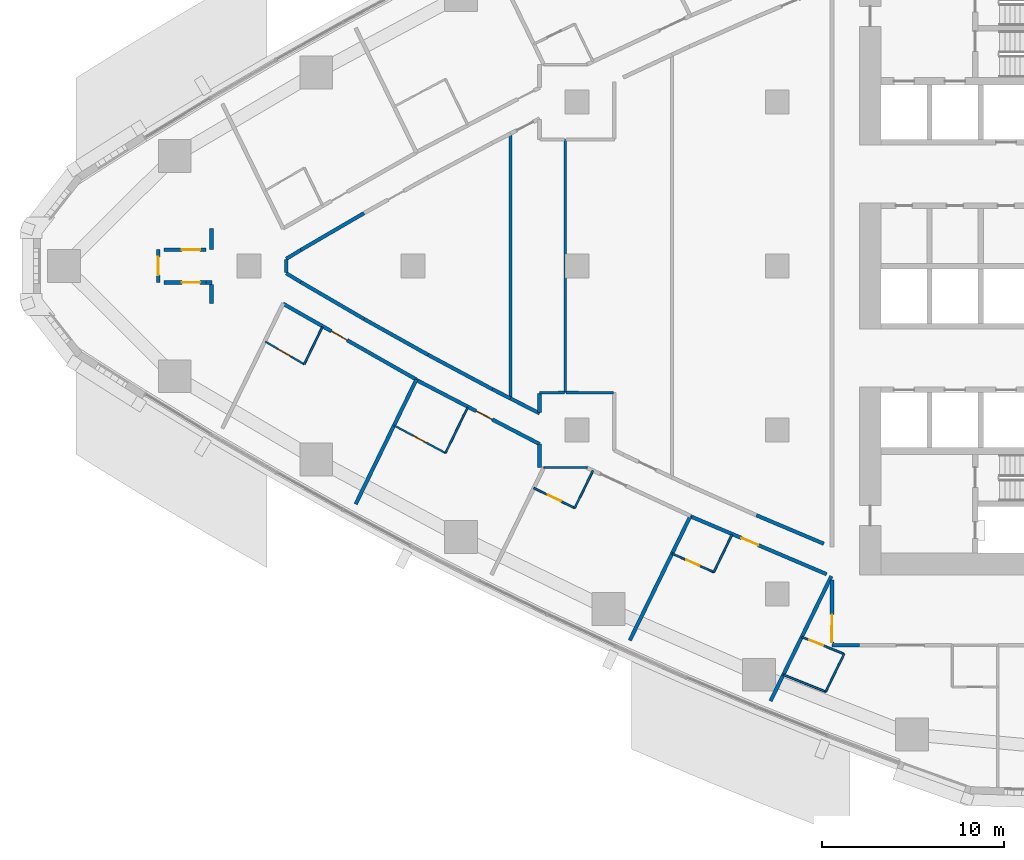
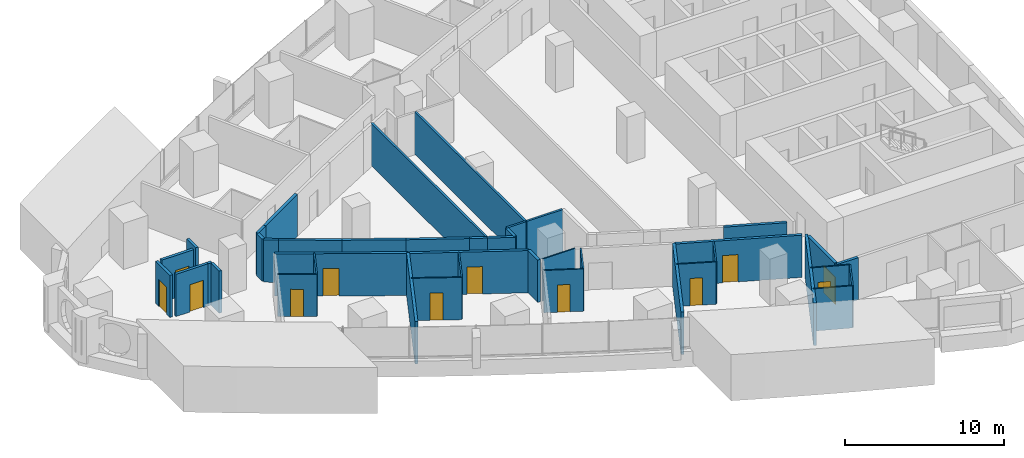
# One storey, part 9 of 19: 42 walls, 12 doors, 12 openings.
"""IFC4 building model written with IfcOpenShell, lengths in metres."""

from ifc_helpers import new_model, si_unit, direction, frame, frame_2d, origin, place, context, subcontext, project, spatial, rectangle, extrude, material, layer, layer_set, type_object, element, fill, save


model = new_model("IFC4")

# Units and contexts
model_context = context("Model", 3, precision=1e-05, world=origin(), true_north=direction((0.0, 1.0)))
body_context = subcontext(model_context, "Body", "Model", "MODEL_VIEW")
ifc_project = project(units=[si_unit("LENGTHUNIT", "METRE"), si_unit("AREAUNIT", "SQUARE_METRE"), si_unit("VOLUMEUNIT", "CUBIC_METRE"), si_unit("PLANEANGLEUNIT", "RADIAN"), si_unit("MASSUNIT", "GRAM", prefix="KILO")], contexts=[model_context])

# Site, building, storey
site_placement = place(None, origin())
site = spatial("IfcSite", under=ifc_project, at=site_placement, CompositionType="ELEMENT")
building_placement = place(site_placement, origin())
building = spatial("IfcBuilding", under=site, at=building_placement, Name="Ostrand Prow Hotel Tower", CompositionType="ELEMENT")
storey_placement = place(building_placement, frame((0.0, 0.0, 53.800048828125)))
storey = spatial("IfcBuildingStorey", under=building, at=storey_placement, Name="L11", CompositionType="ELEMENT", Elevation=53.800048828125)

# Wall
ifc_material_1 = material(Name="Plasterboard partition")
ifc_layer_1 = layer(ifc_material_1, 0.10009765625)
ifc_layer_set_1 = layer_set([ifc_layer_1], Name="Plasterboard partition")
wall_type_1 = type_object("IfcWallType", Name="Partition 100 bathroom wall", PredefinedType="PARTITIONING", material=ifc_layer_set_1)
wall_1_placement = place(storey_placement, frame((20.035400390625, -3.338134765625, 0.0), z_axis=(0.0, 0.0, 1.0), x_axis=(-0.438122322582, -0.898915363344, 0.0)))
element("IfcWall", 1, at=wall_1_placement, inside=storey, type_object=wall_type_1, Name="BATHROOM WALL", PredefinedType="PARTITIONING", context=body_context, shape_type="SweptSolid", body=[
    extrude(rectangle(XDim=2.282958984375, YDim=0.10009765625, at=frame_2d((1.1416015625, 0.0))), origin(), (0.0, 0.0, 1.0), 3.25),
])

# Wall, opening, door
wall_2_placement = place(storey_placement, frame((19.034912109375, -5.390380859375, 0.0), z_axis=(0.0, 0.0, 1.0), x_axis=(-0.863707305865, 0.503993739837, 0.0)))
wall_2 = element("IfcWall", 2, at=wall_2_placement, inside=storey, type_object=wall_type_1, Name="BATHROOM WALL", PredefinedType="PARTITIONING", context=body_context, shape_type="SweptSolid", body=[
    extrude(rectangle(XDim=2.473876953125, YDim=0.10009765625, at=frame_2d((1.23681640625, 0.0))), origin(), (0.0, 0.0, 1.0), 3.25),
])
opening_1_placement = place(wall_2_placement, frame((0.85009765625, 0.0, 0.0)))
opening_1 = element("IfcOpeningElement", 3, at=opening_1_placement, cuts=wall_2, Name="Opening D2", PredefinedType="OPENING", context=body_context, shape_type="SweptSolid", body=[
    extrude(rectangle(XDim=0.800048828125, YDim=2.10009765625, at=frame_2d((0.39990234375, 1.050048828125))), frame((0.0, 0.06005859375, 0.0), z_axis=(0.0, -1.0, 0.0), x_axis=(1.0, 0.0, 0.0)), (0.0, 0.0, 1.0), 0.1201171875),
])
ifc_material_2 = material(Name="Timber door leaf", Category="wood")
door_type_1 = type_object("IfcDoorType", Name="Bathroom door 800", OperationType="SINGLE_SWING_LEFT", PredefinedType="DOOR", material=ifc_material_2)
door_1_placement = place(opening_1_placement, origin())
door_1 = element("IfcDoor", 4, at=door_1_placement, inside=storey, type_object=door_type_1, Name="DOOR", OperationType="SINGLE_SWING_LEFT", OverallHeight=2.10009765625, OverallWidth=0.800048828125, PredefinedType="DOOR", context=body_context, shape_type="SweptSolid", body=[
    extrude(rectangle(XDim=0.800048828125, YDim=2.10009765625, at=frame_2d((0.39990234375, 1.050048828125))), frame((0.0, 0.02490234375, 0.0), z_axis=(0.0, -1.0, 0.0), x_axis=(1.0, 0.0, 0.0)), (0.0, 0.0, 1.0), 0.050048828125),
])
fill(opening_1, door_1)

# Wall
wall_3_placement = place(storey_placement, frame((28.00341796875, -7.7607421875, 0.0), z_axis=(0.0, 0.0, 1.0), x_axis=(-0.43822975423, -0.898862994292, 0.0)))
element("IfcWall", 5, at=wall_3_placement, inside=storey, type_object=wall_type_1, Name="BATHROOM WALL", PredefinedType="PARTITIONING", context=body_context, shape_type="SweptSolid", body=[
    extrude(rectangle(XDim=2.77880859375, YDim=0.10009765625, at=frame_2d((1.389404296875, 0.0))), origin(), (0.0, 0.0, 1.0), 3.25),
])

# Wall, opening, door
wall_4_placement = place(storey_placement, frame((26.785400390625, -10.258544921875, 0.0), z_axis=(0.0, 0.0, 1.0), x_axis=(-0.881653338438, 0.471897648672, 0.0)))
wall_4 = element("IfcWall", 6, at=wall_4_placement, inside=storey, type_object=wall_type_1, Name="BATHROOM WALL", PredefinedType="PARTITIONING", context=body_context, shape_type="SweptSolid", body=[
    extrude(rectangle(XDim=3.201904296875, YDim=0.10009765625, at=frame_2d((1.60107421875, 0.0))), origin(), (0.0, 0.0, 1.0), 3.25),
])
opening_2_placement = place(wall_4_placement, frame((1.199951171875, 0.0, 0.0)))
opening_2 = element("IfcOpeningElement", 7, at=opening_2_placement, cuts=wall_4, Name="Opening D2", PredefinedType="OPENING", context=body_context, shape_type="SweptSolid", body=[
    extrude(rectangle(XDim=0.800048828125, YDim=2.10009765625, at=frame_2d((0.39990234375, 1.050048828125))), frame((0.0, 0.06005859375, 0.0), z_axis=(0.0, -1.0, 0.0), x_axis=(1.0, 0.0, 0.0)), (0.0, 0.0, 1.0), 0.1201171875),
])
door_2_placement = place(opening_2_placement, origin())
door_2 = element("IfcDoor", 8, at=door_2_placement, inside=storey, type_object=door_type_1, Name="DOOR", OperationType="SINGLE_SWING_LEFT", OverallHeight=2.10009765625, OverallWidth=0.800048828125, PredefinedType="DOOR", context=body_context, shape_type="SweptSolid", body=[
    extrude(rectangle(XDim=0.800048828125, YDim=2.10009765625, at=frame_2d((0.39990234375, 1.050048828125))), frame((0.0, 0.02490234375, 0.0), z_axis=(0.0, -1.0, 0.0), x_axis=(1.0, 0.0, 0.0)), (0.0, 0.0, 1.0), 0.050048828125),
])
fill(opening_2, door_2)

# Wall
wall_5_placement = place(storey_placement, frame((34.876708984375, -11.233154296875, 0.0), z_axis=(0.0, 0.0, 1.0), x_axis=(-0.438227154656, -0.898864261678, 0.0)))
element("IfcWall", 9, at=wall_5_placement, inside=storey, type_object=wall_type_1, Name="BATHROOM WALL", PredefinedType="PARTITIONING", context=body_context, shape_type="SweptSolid", body=[
    extrude(rectangle(XDim=2.27685546875, YDim=0.10009765625, at=frame_2d((1.138427734375, 0.0))), origin(), (0.0, 0.0, 1.0), 3.25),
])

# Wall, opening, door
wall_6_placement = place(storey_placement, frame((33.87890625, -13.27978515625, 0.0), z_axis=(0.0, 0.0, 1.0), x_axis=(-0.89845285455, 0.439070003702, 0.0)))
wall_6 = element("IfcWall", 10, at=wall_6_placement, inside=storey, type_object=wall_type_1, Name="BATHROOM WALL", PredefinedType="PARTITIONING", context=body_context, shape_type="SweptSolid", body=[
    extrude(rectangle(XDim=2.5, YDim=0.10009765625, at=frame_2d((1.25, 0.0))), origin(), (0.0, 0.0, 1.0), 3.25),
])
opening_3_placement = place(wall_6_placement, frame((0.85009765625, 0.0, 0.0)))
opening_3 = element("IfcOpeningElement", 11, at=opening_3_placement, cuts=wall_6, Name="Opening D2", PredefinedType="OPENING", context=body_context, shape_type="SweptSolid", body=[
    extrude(rectangle(XDim=0.800048828125, YDim=2.10009765625, at=frame_2d((0.39990234375, 1.050048828125))), frame((0.0, 0.06005859375, 0.0), z_axis=(0.0, -1.0, 0.0), x_axis=(1.0, 0.0, 0.0)), (0.0, 0.0, 1.0), 0.1201171875),
])
door_3_placement = place(opening_3_placement, origin())
door_3 = element("IfcDoor", 12, at=door_3_placement, inside=storey, type_object=door_type_1, Name="DOOR", OperationType="SINGLE_SWING_LEFT", OverallHeight=2.10009765625, OverallWidth=0.800048828125, PredefinedType="DOOR", context=body_context, shape_type="SweptSolid", body=[
    extrude(rectangle(XDim=0.800048828125, YDim=2.10009765625, at=frame_2d((0.39990234375, 1.050048828125))), frame((0.0, 0.02490234375, 0.0), z_axis=(0.0, -1.0, 0.0), x_axis=(1.0, 0.0, 0.0)), (0.0, 0.0, 1.0), 0.050048828125),
])
fill(opening_3, door_3)

# Wall
wall_7_placement = place(storey_placement, frame((42.50830078125, -14.747802734375, 0.0), z_axis=(0.0, 0.0, 1.0), x_axis=(-0.4381470535, -0.898903309321, 0.0)))
element("IfcWall", 13, at=wall_7_placement, inside=storey, type_object=wall_type_1, Name="BATHROOM WALL", PredefinedType="PARTITIONING", context=body_context, shape_type="SweptSolid", body=[
    extrude(rectangle(XDim=2.2783203125, YDim=0.10009765625, at=frame_2d((1.13916015625, 0.0))), origin(), (0.0, 0.0, 1.0), 3.25),
])

# Wall, opening, door
wall_8_placement = place(storey_placement, frame((41.509765625, -16.7958984375, 0.0), z_axis=(0.0, 0.0, 1.0), x_axis=(-0.914000607553, 0.405712816401, 0.0)))
wall_8 = element("IfcWall", 14, at=wall_8_placement, inside=storey, type_object=wall_type_1, Name="BATHROOM WALL", PredefinedType="PARTITIONING", context=body_context, shape_type="SweptSolid", body=[
    extrude(rectangle(XDim=2.50146484375, YDim=0.10009765625, at=frame_2d((1.250732421875, 0.0))), origin(), (0.0, 0.0, 1.0), 3.25),
])
opening_4_placement = place(wall_8_placement, frame((0.85009765625, 0.0, 0.0)))
opening_4 = element("IfcOpeningElement", 15, at=opening_4_placement, cuts=wall_8, Name="Opening D2", PredefinedType="OPENING", context=body_context, shape_type="SweptSolid", body=[
    extrude(rectangle(XDim=0.800048828125, YDim=2.10009765625, at=frame_2d((0.39990234375, 1.050048828125))), frame((0.0, 0.06005859375, 0.0), z_axis=(0.0, -1.0, 0.0), x_axis=(1.0, 0.0, 0.0)), (0.0, 0.0, 1.0), 0.1201171875),
])
door_4_placement = place(opening_4_placement, origin())
door_4 = element("IfcDoor", 16, at=door_4_placement, inside=storey, type_object=door_type_1, Name="DOOR", OperationType="SINGLE_SWING_LEFT", OverallHeight=2.10009765625, OverallWidth=0.800048828125, PredefinedType="DOOR", context=body_context, shape_type="SweptSolid", body=[
    extrude(rectangle(XDim=0.800048828125, YDim=2.10009765625, at=frame_2d((0.39990234375, 1.050048828125))), frame((0.0, 0.02490234375, 0.0), z_axis=(0.0, -1.0, 0.0), x_axis=(1.0, 0.0, 0.0)), (0.0, 0.0, 1.0), 0.050048828125),
])
fill(opening_4, door_4)

# Wall
wall_9_placement = place(storey_placement, frame((47.65478515625, -23.360595703125, 0.0), z_axis=(0.0, 0.0, 1.0), x_axis=(-0.928288495333, 0.371860819975, 0.0)))
element("IfcWall", 17, at=wall_9_placement, inside=storey, type_object=wall_type_1, Name="BATHROOM WALL", PredefinedType="PARTITIONING", context=body_context, shape_type="SweptSolid", body=[
    extrude(rectangle(XDim=2.506591796875, YDim=0.10009765625, at=frame_2d((1.25341796875, 0.0))), origin(), (0.0, 0.0, 1.0), 3.25),
])

# Wall, opening, door
wall_10_placement = place(storey_placement, frame((46.33837890625, -20.35546875, 0.0), z_axis=(0.0, 0.0, 1.0), x_axis=(0.928288495333, -0.371860819975, 0.0)))
wall_10 = element("IfcWall", 18, at=wall_10_placement, inside=storey, type_object=wall_type_1, Name="BATHROOM WALL", PredefinedType="PARTITIONING", context=body_context, shape_type="SweptSolid", body=[
    extrude(rectangle(XDim=2.506591796875, YDim=0.10009765625, at=frame_2d((1.25341796875, 0.0))), origin(), (0.0, 0.0, 1.0), 3.25),
])
opening_5_placement = place(wall_10_placement, frame((0.449951171875, 0.0, 0.0)))
opening_5 = element("IfcOpeningElement", 19, at=opening_5_placement, cuts=wall_10, Name="Opening D2", PredefinedType="OPENING", context=body_context, shape_type="SweptSolid", body=[
    extrude(rectangle(XDim=0.800048828125, YDim=2.10009765625, at=frame_2d((0.39990234375, 1.050048828125))), frame((0.0, 0.06005859375, 0.0), z_axis=(0.0, -1.0, 0.0), x_axis=(1.0, 0.0, 0.0)), (0.0, 0.0, 1.0), 0.1201171875),
])
door_5_placement = place(opening_5_placement, origin())
door_5 = element("IfcDoor", 20, at=door_5_placement, inside=storey, type_object=door_type_1, Name="DOOR", OperationType="SINGLE_SWING_LEFT", OverallHeight=2.10009765625, OverallWidth=0.800048828125, PredefinedType="DOOR", context=body_context, shape_type="SweptSolid", body=[
    extrude(rectangle(XDim=0.800048828125, YDim=2.10009765625, at=frame_2d((0.39990234375, 1.050048828125))), frame((0.0, 0.02490234375, 0.0), z_axis=(0.0, -1.0, 0.0), x_axis=(1.0, 0.0, 0.0)), (0.0, 0.0, 1.0), 0.050048828125),
])
fill(opening_5, door_5)

# Walls
wall_11_placement = place(storey_placement, frame((48.665283203125, -21.28759765625, 0.0), z_axis=(0.0, 0.0, 1.0), x_axis=(-0.438171240168, -0.898891519756, 0.0)))
element("IfcWall", 21, at=wall_11_placement, inside=storey, type_object=wall_type_1, Name="BATHROOM WALL", PredefinedType="PARTITIONING", context=body_context, shape_type="SweptSolid", body=[
    extrude(rectangle(XDim=2.30615234375, YDim=0.10009765625, at=frame_2d((1.153076171875, 0.0))), origin(), (0.0, 0.0, 1.0), 3.25),
])
wall_12_placement = place(storey_placement, frame((32.182373046875, -11.054931640625, 0.0), z_axis=(0.0, 0.0, 1.0), x_axis=(1.0, 0.0, 0.0)))
element("IfcWall", 22, at=wall_12_placement, inside=storey, type_object=wall_type_1, Name="BATHROOM WALL", PredefinedType="PARTITIONING", context=body_context, shape_type="SweptSolid", body=[
    extrude(rectangle(XDim=2.370849609375, YDim=0.10009765625, at=frame_2d((1.185546875, 0.0))), origin(), (0.0, 0.0, 1.0), 3.25),
])
ifc_material_3 = material(Name="Plasterboard partition")
ifc_layer_2 = layer(ifc_material_3, 0.14990234375)
ifc_layer_set_2 = layer_set([ifc_layer_2], Name="Plasterboard partition")
wall_type_2 = type_object("IfcWallType", Name="Partition 150 room partition", PredefinedType="PARTITIONING", material=ifc_layer_set_2)
wall_13_placement = place(storey_placement, frame((30.353271484375, -7.267578125, 0.0), z_axis=(0.0, 0.0, 1.0), x_axis=(0.0, 1.0, 0.0)))
element("IfcWall", 23, at=wall_13_placement, inside=storey, type_object=wall_type_2, Name="ROOM PARTITION", PredefinedType="PARTITIONING", context=body_context, shape_type="SweptSolid", body=[
    extrude(rectangle(XDim=14.53515625, YDim=0.14990234375, at=frame_2d((7.267578125, 0.0))), origin(), (0.0, 0.0, 1.0), 3.25),
])
wall_14_placement = place(storey_placement, frame((33.353271484375, -6.949951171875, 0.0), z_axis=(0.0, 0.0, 1.0), x_axis=(0.0, 1.0, 0.0)))
element("IfcWall", 24, at=wall_14_placement, inside=storey, type_object=wall_type_2, Name="ROOM PARTITION", PredefinedType="PARTITIONING", context=body_context, shape_type="SweptSolid", body=[
    extrude(rectangle(XDim=13.89990234375, YDim=0.14990234375, at=frame_2d((6.949951171875, 0.0))), origin(), (0.0, 0.0, 1.0), 3.25),
])
wall_15_placement = place(storey_placement, frame((33.313232421875, -6.945068359375, 0.0), z_axis=(0.0, 0.0, 1.0), x_axis=(-0.999999744625, -0.00071466839, 0.0)))
element("IfcWall", 25, at=wall_15_placement, inside=storey, type_object=wall_type_2, Name="ROOM PARTITION", PredefinedType="PARTITIONING", context=body_context, shape_type="SweptSolid", body=[
    extrude(rectangle(XDim=1.366455078125, YDim=0.14990234375, at=frame_2d((0.68310546875, 0.0))), origin(), (0.0, 0.0, 1.0), 3.25),
])
wall_16_placement = place(storey_placement, frame((36.01318359375, -6.946044921875, 0.0), z_axis=(0.0, 0.0, 1.0), x_axis=(-0.999999930528, 0.000372751815, 0.0)))
element("IfcWall", 26, at=wall_16_placement, inside=storey, type_object=wall_type_2, Name="ROOM PARTITION", PredefinedType="PARTITIONING", context=body_context, shape_type="SweptSolid", body=[
    extrude(rectangle(XDim=2.619873046875, YDim=0.14990234375, at=frame_2d((1.31005859375, 0.0))), origin(), (0.0, 0.0, 1.0), 3.25),
])

# Wall, opening, door
ifc_material_4 = material(Name="Plasterboard partition")
ifc_layer_3 = layer(ifc_material_4, 0.199951171875)
ifc_layer_set_3 = layer_set([ifc_layer_3], Name="Plasterboard partition")
wall_type_3 = type_object("IfcWallType", Name="Partition 200 corridor wall", PredefinedType="PARTITIONING", material=ifc_layer_set_3)
wall_17_placement = place(storey_placement, frame((17.87353515625, -2.068115234375, 0.0), z_axis=(0.0, 0.0, 1.0), x_axis=(0.869280098963, -0.494319845391, 0.0)))
wall_17 = element("IfcWall", 27, at=wall_17_placement, inside=storey, type_object=wall_type_3, Name="CORRIDOR WALL", PredefinedType="PARTITIONING", context=body_context, shape_type="SweptSolid", body=[
    extrude(rectangle(XDim=8.4169921875, YDim=0.199951171875, at=frame_2d((4.20849609375, 0.0))), origin(), (0.0, 0.0, 1.0), 3.25),
])
opening_6_placement = place(wall_17_placement, frame((3.050048828125, 0.0, 0.0)))
opening_6 = element("IfcOpeningElement", 28, at=opening_6_placement, cuts=wall_17, Name="Opening D1R", PredefinedType="OPENING", context=body_context, shape_type="SweptSolid", body=[
    extrude(rectangle(XDim=1.0, YDim=2.10009765625, at=frame_2d((0.5, 1.050048828125))), frame((0.0, 0.10986328125, 0.0), z_axis=(0.0, -1.0, 0.0), x_axis=(1.0, 0.0, 0.0)), (0.0, 0.0, 1.0), 0.219970703125),
])
ifc_material_5 = material(Name="Timber door leaf", Category="wood")
door_type_2 = type_object("IfcDoorType", Name="Guest room door 1000 right", OperationType="SINGLE_SWING_RIGHT", PredefinedType="DOOR", material=ifc_material_5)
door_6_placement = place(opening_6_placement, origin())
door_6 = element("IfcDoor", 29, at=door_6_placement, inside=storey, type_object=door_type_2, Name="DOOR", OperationType="SINGLE_SWING_RIGHT", OverallHeight=2.10009765625, OverallWidth=1.0, PredefinedType="DOOR", context=body_context, shape_type="SweptSolid", body=[
    extrude(rectangle(XDim=1.0, YDim=2.10009765625, at=frame_2d((0.5, 1.050048828125))), frame((0.0, 0.02490234375, 0.0), z_axis=(0.0, -1.0, 0.0), x_axis=(1.0, 0.0, 0.0)), (0.0, 0.0, 1.0), 0.050048828125),
])
fill(opening_6, door_6)

wall_18_placement = place(storey_placement, frame((25.181396484375, -6.246826171875, 0.0), z_axis=(0.0, 0.0, 1.0), x_axis=(0.887026569793, -0.461718382221, 0.0)))
wall_18 = element("IfcWall", 30, at=wall_18_placement, inside=storey, type_object=wall_type_3, Name="CORRIDOR WALL", PredefinedType="PARTITIONING", context=body_context, shape_type="SweptSolid", body=[
    extrude(rectangle(XDim=7.630615234375, YDim=0.199951171875, at=frame_2d((3.8154296875, 0.0))), origin(), (0.0, 0.0, 1.0), 3.25),
])
opening_7_placement = place(wall_18_placement, frame((3.699951171875, 0.0, 0.0)))
opening_7 = element("IfcOpeningElement", 31, at=opening_7_placement, cuts=wall_18, Name="Opening D1R", PredefinedType="OPENING", context=body_context, shape_type="SweptSolid", body=[
    extrude(rectangle(XDim=1.0, YDim=2.10009765625, at=frame_2d((0.5, 1.050048828125))), frame((0.0, 0.10986328125, 0.0), z_axis=(0.0, -1.0, 0.0), x_axis=(1.0, 0.0, 0.0)), (0.0, 0.0, 1.0), 0.219970703125),
])
door_7_placement = place(opening_7_placement, origin())
door_7 = element("IfcDoor", 32, at=door_7_placement, inside=storey, type_object=door_type_2, Name="DOOR", OperationType="SINGLE_SWING_RIGHT", OverallHeight=2.10009765625, OverallWidth=1.0, PredefinedType="DOOR", context=body_context, shape_type="SweptSolid", body=[
    extrude(rectangle(XDim=1.0, YDim=2.10009765625, at=frame_2d((0.5, 1.050048828125))), frame((0.0, 0.02490234375, 0.0), z_axis=(0.0, -1.0, 0.0), x_axis=(1.0, 0.0, 0.0)), (0.0, 0.0, 1.0), 0.050048828125),
])
fill(opening_7, door_7)

# Walls
wall_19_placement = place(storey_placement, frame((30.353271484375, -7.267578125, 0.0), z_axis=(0.0, 0.0, 1.0), x_axis=(-0.890241988655, 0.455487872106, 0.0)))
element("IfcWall", 33, at=wall_19_placement, inside=storey, type_object=wall_type_3, Name="CORRIDOR WALL", PredefinedType="PARTITIONING", context=body_context, shape_type="SweptSolid", body=[
    extrude(rectangle(XDim=1.11865234375, YDim=0.199951171875, at=frame_2d((0.559326171875, 0.0))), origin(), (0.0, 0.0, 1.0), 3.25),
])
wall_20_placement = place(storey_placement, frame((29.357421875, -6.758056640625, 0.0), z_axis=(0.0, 0.0, 1.0), x_axis=(-0.881655245922, 0.471894084874, 0.0)))
element("IfcWall", 34, at=wall_20_placement, inside=storey, type_object=wall_type_3, Name="CORRIDOR WALL", PredefinedType="PARTITIONING", context=body_context, shape_type="SweptSolid", body=[
    extrude(rectangle(XDim=4.015869140625, YDim=0.199951171875, at=frame_2d((2.0078125, 0.0))), origin(), (0.0, 0.0, 1.0), 3.25),
])
wall_21_placement = place(storey_placement, frame((25.81689453125, -4.863037109375, 0.0), z_axis=(0.0, 0.0, 1.0), x_axis=(-0.872800289292, 0.488077509225, 0.0)))
element("IfcWall", 35, at=wall_21_placement, inside=storey, type_object=wall_type_3, Name="CORRIDOR WALL", PredefinedType="PARTITIONING", context=body_context, shape_type="SweptSolid", body=[
    extrude(rectangle(XDim=4.015625, YDim=0.199951171875, at=frame_2d((2.0078125, 0.0))), origin(), (0.0, 0.0, 1.0), 3.25),
])
wall_22_placement = place(storey_placement, frame((22.31201171875, -2.903076171875, 0.0), z_axis=(0.0, 0.0, 1.0), x_axis=(-0.863710538269, 0.503988200341, 0.0)))
element("IfcWall", 36, at=wall_22_placement, inside=storey, type_object=wall_type_3, Name="CORRIDOR WALL", PredefinedType="PARTITIONING", context=body_context, shape_type="SweptSolid", body=[
    extrude(rectangle(XDim=4.015869140625, YDim=0.199951171875, at=frame_2d((2.0078125, 0.0))), origin(), (0.0, 0.0, 1.0), 3.25),
])
for number, where, z_axis, x_axis, name in (
    (37, (18.843505859375, -0.879150390625, 0.0), (0.0, 0.0, 1.0), (-0.8542290073, 0.519896915828, 0.0), "CORRIDOR WALL"),
    (38, (18.050048828125, 0.396240234375, 0.0), (0.0, 0.0, 1.0), (0.8542290073, 0.519896915828, 0.0), "CORRIDOR WALL"),
):
    element("IfcWall", number, at=place(storey_placement, frame(where, z_axis=z_axis, x_axis=x_axis)), inside=storey, type_object=wall_type_3, Name=name, PredefinedType="PARTITIONING", context=body_context, shape_type="SweptSolid", body=[
        extrude(rectangle(XDim=0.928955078125, YDim=0.199951171875, at=frame_2d((0.46435546875, 0.0))), origin(), (0.0, 0.0, 1.0), 3.25),
    ])
wall_23_placement = place(storey_placement, frame((18.843505859375, 0.879150390625, 0.0), z_axis=(0.0, 0.0, 1.0), x_axis=(0.863710538269, 0.503988200341, 0.0)))
element("IfcWall", 39, at=wall_23_placement, inside=storey, type_object=wall_type_3, Name="CORRIDOR WALL", PredefinedType="PARTITIONING", context=body_context, shape_type="SweptSolid", body=[
    extrude(rectangle(XDim=4.015869140625, YDim=0.199951171875, at=frame_2d((2.0078125, 0.0))), origin(), (0.0, 0.0, 1.0), 3.25),
])
wall_24_placement = place(storey_placement, frame((31.949951171875, -8.084716796875, 0.0), z_axis=(0.0, 0.0, 1.0), x_axis=(-0.890195531144, 0.455578660969, 0.0)))
element("IfcWall", 40, at=wall_24_placement, inside=storey, type_object=wall_type_3, Name="CORRIDOR WALL", PredefinedType="PARTITIONING", context=body_context, shape_type="SweptSolid", body=[
    extrude(rectangle(XDim=1.793701171875, YDim=0.199951171875, at=frame_2d((0.89697265625, 0.0))), origin(), (0.0, 0.0, 1.0), 3.25),
])
wall_25_placement = place(storey_placement, frame((47.549560546875, -15.239013671875, 0.0), z_axis=(0.0, 0.0, 1.0), x_axis=(-0.921269894054, 0.388923877269, 0.0)))
element("IfcWall", 41, at=wall_25_placement, inside=storey, type_object=wall_type_3, Name="CORRIDOR WALL", PredefinedType="PARTITIONING", context=body_context, shape_type="SweptSolid", body=[
    extrude(rectangle(XDim=4.015625, YDim=0.199951171875, at=frame_2d((2.0078125, 0.0))), origin(), (0.0, 0.0, 1.0), 3.25),
])

# Wall, opening, door
wall_26_placement = place(storey_placement, frame((11.327392578125, 0.89990234375, 0.0), z_axis=(0.0, 0.0, 1.0), x_axis=(1.0, 0.0, 0.0)))
wall_26 = element("IfcWall", 42, at=wall_26_placement, inside=storey, type_object=wall_type_3, Name="CORRIDOR WALL", PredefinedType="PARTITIONING", context=body_context, shape_type="SweptSolid", body=[
    extrude(rectangle(XDim=2.322509765625, YDim=0.199951171875, at=frame_2d((1.1611328125, 0.0))), origin(), (0.0, 0.0, 1.0), 3.25),
])
opening_8_placement = place(wall_26_placement, frame((0.9951171875, 0.0, 0.0)))
opening_8 = element("IfcOpeningElement", 43, at=opening_8_placement, cuts=wall_26, Name="Opening D1", PredefinedType="OPENING", context=body_context, shape_type="SweptSolid", body=[
    extrude(rectangle(XDim=1.0, YDim=2.10009765625, at=frame_2d((0.5, 1.050048828125))), frame((0.0, 0.10986328125, 0.0), z_axis=(0.0, -1.0, 0.0), x_axis=(1.0, 0.0, 0.0)), (0.0, 0.0, 1.0), 0.219970703125),
])
ifc_material_6 = material(Name="Timber door leaf", Category="wood")
door_type_3 = type_object("IfcDoorType", Name="Guest room door 1000", OperationType="SINGLE_SWING_LEFT", PredefinedType="DOOR", material=ifc_material_6)
door_8_placement = place(opening_8_placement, origin())
door_8 = element("IfcDoor", 44, at=door_8_placement, inside=storey, type_object=door_type_3, Name="DOOR", OperationType="SINGLE_SWING_LEFT", OverallHeight=2.10009765625, OverallWidth=1.0, PredefinedType="DOOR", context=body_context, shape_type="SweptSolid", body=[
    extrude(rectangle(XDim=1.0, YDim=2.10009765625, at=frame_2d((0.5, 1.050048828125))), frame((0.0, 0.02490234375, 0.0), z_axis=(0.0, -1.0, 0.0), x_axis=(1.0, 0.0, 0.0)), (0.0, 0.0, 1.0), 0.050048828125),
])
fill(opening_8, door_8)

wall_27_placement = place(storey_placement, frame((11.327392578125, -0.89990234375, 0.0), z_axis=(0.0, 0.0, 1.0), x_axis=(1.0, 0.0, 0.0)))
wall_27 = element("IfcWall", 45, at=wall_27_placement, inside=storey, type_object=wall_type_3, Name="CORRIDOR WALL", PredefinedType="PARTITIONING", context=body_context, shape_type="SweptSolid", body=[
    extrude(rectangle(XDim=2.322509765625, YDim=0.199951171875, at=frame_2d((1.1611328125, 0.0))), origin(), (0.0, 0.0, 1.0), 3.25),
])
opening_9_placement = place(wall_27_placement, frame((0.9951171875, 0.0, 0.0)))
opening_9 = element("IfcOpeningElement", 46, at=opening_9_placement, cuts=wall_27, Name="Opening D1R", PredefinedType="OPENING", context=body_context, shape_type="SweptSolid", body=[
    extrude(rectangle(XDim=1.0, YDim=2.10009765625, at=frame_2d((0.5, 1.050048828125))), frame((0.0, 0.10986328125, 0.0), z_axis=(0.0, -1.0, 0.0), x_axis=(1.0, 0.0, 0.0)), (0.0, 0.0, 1.0), 0.219970703125),
])
door_9_placement = place(opening_9_placement, origin())
door_9 = element("IfcDoor", 47, at=door_9_placement, inside=storey, type_object=door_type_2, Name="DOOR", OperationType="SINGLE_SWING_RIGHT", OverallHeight=2.10009765625, OverallWidth=1.0, PredefinedType="DOOR", context=body_context, shape_type="SweptSolid", body=[
    extrude(rectangle(XDim=1.0, YDim=2.10009765625, at=frame_2d((0.5, 1.050048828125))), frame((0.0, 0.02490234375, 0.0), z_axis=(0.0, -1.0, 0.0), x_axis=(1.0, 0.0, 0.0)), (0.0, 0.0, 1.0), 0.050048828125),
])
fill(opening_9, door_9)

wall_28_placement = place(storey_placement, frame((40.22314453125, -13.730224609375, 0.0), z_axis=(0.0, 0.0, 1.0), x_axis=(0.920292261621, -0.391231585127, 0.0)))
wall_28 = element("IfcWall", 48, at=wall_28_placement, inside=storey, type_object=wall_type_3, Name="CORRIDOR WALL", PredefinedType="PARTITIONING", context=body_context, shape_type="SweptSolid", body=[
    extrude(rectangle(XDim=8.128662109375, YDim=0.199951171875, at=frame_2d((4.064453125, 0.0))), origin(), (0.0, 0.0, 1.0), 3.25),
])
opening_10_placement = place(wall_28_placement, frame((3.050048828125, 0.0, 0.0)))
opening_10 = element("IfcOpeningElement", 49, at=opening_10_placement, cuts=wall_28, Name="Opening D1R", PredefinedType="OPENING", context=body_context, shape_type="SweptSolid", body=[
    extrude(rectangle(XDim=1.0, YDim=2.10009765625, at=frame_2d((0.5, 1.050048828125))), frame((0.0, 0.10986328125, 0.0), z_axis=(0.0, -1.0, 0.0), x_axis=(1.0, 0.0, 0.0)), (0.0, 0.0, 1.0), 0.219970703125),
])
door_10_placement = place(opening_10_placement, origin())
door_10 = element("IfcDoor", 50, at=door_10_placement, inside=storey, type_object=door_type_2, Name="DOOR", OperationType="SINGLE_SWING_RIGHT", OverallHeight=2.10009765625, OverallWidth=1.0, PredefinedType="DOOR", context=body_context, shape_type="SweptSolid", body=[
    extrude(rectangle(XDim=1.0, YDim=2.10009765625, at=frame_2d((0.5, 1.050048828125))), frame((0.0, 0.02490234375, 0.0), z_axis=(0.0, -1.0, 0.0), x_axis=(1.0, 0.0, 0.0)), (0.0, 0.0, 1.0), 0.050048828125),
])
fill(opening_10, door_10)

# Walls
wall_29_placement = place(storey_placement, frame((18.054931640625, -0.356689453125, 0.0), z_axis=(0.0, 0.0, 1.0), x_axis=(0.0, 1.0, 0.0)))
element("IfcWall", 51, at=wall_29_placement, inside=storey, type_object=wall_type_3, Name="CORRIDOR WALL", PredefinedType="PARTITIONING", context=body_context, shape_type="SweptSolid", body=[
    extrude(rectangle(XDim=0.71337890625, YDim=0.199951171875, at=frame_2d((0.356689453125, 0.0))), origin(), (0.0, 0.0, 1.0), 3.25),
])
wall_30_placement = place(storey_placement, frame((31.94677734375, -6.986083984375, 0.0), z_axis=(0.0, 0.0, 1.0), x_axis=(-0.001625636496, -0.999998678652, 0.0)))
element("IfcWall", 52, at=wall_30_placement, inside=storey, type_object=wall_type_3, Name="CORRIDOR WALL", PredefinedType="PARTITIONING", context=body_context, shape_type="SweptSolid", body=[
    extrude(rectangle(XDim=1.05126953125, YDim=0.199951171875, at=frame_2d((0.525634765625, 0.0))), origin(), (0.0, 0.0, 1.0), 3.25),
])
wall_31_placement = place(storey_placement, frame((13.945556640625, 2.052490234375, 0.0), z_axis=(0.0, 0.0, 1.0), x_axis=(-0.000424178117, -0.999999910036, 0.0)))
element("IfcWall", 53, at=wall_31_placement, inside=storey, type_object=wall_type_3, Name="CORRIDOR WALL", PredefinedType="PARTITIONING", context=body_context, shape_type="SweptSolid", body=[
    extrude(rectangle(XDim=1.151123046875, YDim=0.199951171875, at=frame_2d((0.57568359375, 0.0))), origin(), (0.0, 0.0, 1.0), 3.25),
])
wall_32_placement = place(storey_placement, frame((13.64990234375, -0.89990234375, 0.0), z_axis=(0.0, 0.0, 1.0), x_axis=(0.999984810316, -0.005511727301, 0.0)))
element("IfcWall", 54, at=wall_32_placement, inside=storey, type_object=wall_type_3, Name="CORRIDOR WALL", PredefinedType="PARTITIONING", context=body_context, shape_type="SweptSolid", body=[
    extrude(rectangle(XDim=0.31005859375, YDim=0.199951171875, at=frame_2d((0.155029296875, 0.0))), origin(), (0.0, 0.0, 1.0), 3.25),
])
wall_33_placement = place(storey_placement, frame((13.945068359375, -1.021484375, 0.0), z_axis=(0.0, 0.0, 1.0), x_axis=(0.000473596916, -0.999999887853, 0.0)))
element("IfcWall", 55, at=wall_33_placement, inside=storey, type_object=wall_type_3, Name="CORRIDOR WALL", PredefinedType="PARTITIONING", context=body_context, shape_type="SweptSolid", body=[
    extrude(rectangle(XDim=1.031005859375, YDim=0.199951171875, at=frame_2d((0.515625, 0.0))), origin(), (0.0, 0.0, 1.0), 3.25),
])
wall_34_placement = place(storey_placement, frame((31.949951171875, -9.77001953125, 0.0), z_axis=(0.0, 0.0, 1.0), x_axis=(-0.003811674235, -0.999992735543, 0.0)))
element("IfcWall", 56, at=wall_34_placement, inside=storey, type_object=wall_type_3, Name="CORRIDOR WALL", PredefinedType="PARTITIONING", context=body_context, shape_type="SweptSolid", body=[
    extrude(rectangle(XDim=1.281005859375, YDim=0.199951171875, at=frame_2d((0.640625, 0.0))), origin(), (0.0, 0.0, 1.0), 3.25),
])
wall_35_placement = place(storey_placement, frame((47.995361328125, -20.802001953125, 0.0), z_axis=(0.0, 0.0, 1.0), x_axis=(0.999998104399, -0.001947099992, 0.0)))
element("IfcWall", 57, at=wall_35_placement, inside=storey, type_object=wall_type_3, Name="CORRIDOR WALL", PredefinedType="PARTITIONING", context=body_context, shape_type="SweptSolid", body=[
    extrude(rectangle(XDim=1.504638671875, YDim=0.199951171875, at=frame_2d((0.75244140625, 0.0))), origin(), (0.0, 0.0, 1.0), 3.25),
])

# Wall, opening, door
wall_36_placement = place(storey_placement, frame((47.99853515625, -17.223876953125, 0.0), z_axis=(0.0, 0.0, 1.0), x_axis=(-0.000847217996, -0.999999641111, 0.0)))
wall_36 = element("IfcWall", 58, at=wall_36_placement, inside=storey, type_object=wall_type_3, Name="CORRIDOR WALL", PredefinedType="PARTITIONING", context=body_context, shape_type="SweptSolid", body=[
    extrude(rectangle(XDim=3.4580078125, YDim=0.199951171875, at=frame_2d((1.72900390625, 0.0))), origin(), (0.0, 0.0, 1.0), 3.25),
])
opening_11_placement = place(wall_36_placement, frame((1.907958984375, 0.0, 0.0)))
opening_11 = element("IfcOpeningElement", 59, at=opening_11_placement, cuts=wall_36, Name="Opening D15", PredefinedType="OPENING", context=body_context, shape_type="SweptSolid", body=[
    extrude(rectangle(XDim=1.5, YDim=2.10009765625, at=frame_2d((0.75, 1.050048828125))), frame((0.0, 0.10986328125, 0.0), z_axis=(0.0, -1.0, 0.0), x_axis=(1.0, 0.0, 0.0)), (0.0, 0.0, 1.0), 0.219970703125),
])
ifc_material_7 = material(Name="Timber door leaf", Category="wood")
door_type_4 = type_object("IfcDoorType", Name="Double door 1500", OperationType="DOUBLE_DOOR_SINGLE_SWING", PredefinedType="DOOR", material=ifc_material_7)
door_11_placement = place(opening_11_placement, origin())
door_11 = element("IfcDoor", 60, at=door_11_placement, inside=storey, type_object=door_type_4, Name="DOOR", OperationType="DOUBLE_DOOR_SINGLE_SWING", OverallHeight=2.10009765625, OverallWidth=1.5, PredefinedType="DOOR", context=body_context, shape_type="SweptSolid", body=[
    extrude(rectangle(XDim=1.5, YDim=2.10009765625, at=frame_2d((0.75, 1.050048828125))), frame((0.0, 0.02490234375, 0.0), z_axis=(0.0, -1.0, 0.0), x_axis=(1.0, 0.0, 0.0)), (0.0, 0.0, 1.0), 0.050048828125),
])
fill(opening_11, door_11)

# Walls
ifc_material_8 = material(Name="Plasterboard partition")
ifc_layer_4 = layer(ifc_material_8, 0.199951171875)
ifc_layer_set_4 = layer_set([ifc_layer_4], Name="Plasterboard partition")
wall_type_4 = type_object("IfcWallType", Name="Partition 200 key partition", PredefinedType="PARTITIONING", material=ifc_layer_set_4)
wall_37_placement = place(storey_placement, frame((21.857421875, -13.065185546875, 0.0), z_axis=(0.0, 0.0, 1.0), x_axis=(0.438202895602, 0.898876088394, 0.0)))
element("IfcWall", 61, at=wall_37_placement, inside=storey, type_object=wall_type_4, Name="KEY PARTITION", PredefinedType="PARTITIONING", context=body_context, shape_type="SweptSolid", body=[
    extrude(rectangle(XDim=7.60546875, YDim=0.199951171875, at=frame_2d((3.802734375, 0.0))), origin(), (0.0, 0.0, 1.0), 3.25),
])
wall_38_placement = place(storey_placement, frame((36.8994140625, -20.548095703125, 0.0), z_axis=(0.0, 0.0, 1.0), x_axis=(0.438202247191, 0.898876404494, 0.0)))
element("IfcWall", 62, at=wall_38_placement, inside=storey, type_object=wall_type_4, Name="KEY PARTITION", PredefinedType="PARTITIONING", context=body_context, shape_type="SweptSolid", body=[
    extrude(rectangle(XDim=7.60498046875, YDim=0.199951171875, at=frame_2d((3.802490234375, 0.0))), origin(), (0.0, 0.0, 1.0), 3.25),
])
wall_39_placement = place(storey_placement, frame((44.625, -23.870361328125, 0.0), z_axis=(0.0, 0.0, 1.0), x_axis=(0.438207101073, 0.898874038211, 0.0)))
element("IfcWall", 63, at=wall_39_placement, inside=storey, type_object=wall_type_4, Name="KEY PARTITION", PredefinedType="PARTITIONING", context=body_context, shape_type="SweptSolid", body=[
    extrude(rectangle(XDim=7.619873046875, YDim=0.199951171875, at=frame_2d((3.81005859375, 0.0))), origin(), (0.0, 0.0, 1.0), 3.25),
])

# Wall, opening, door
ifc_material_9 = material(Name="Plasterboard partition")
ifc_layer_5 = layer(ifc_material_9, 0.199951171875)
ifc_layer_set_5 = layer_set([ifc_layer_5], Name="Plasterboard partition")
wall_type_5 = type_object("IfcWallType", Name="Partition 200 lounge wall", PredefinedType="PARTITIONING", material=ifc_layer_set_5)
wall_40_placement = place(storey_placement, frame((11.02734375, -0.89990234375, 0.0), z_axis=(0.0, 0.0, 1.0), x_axis=(0.0, 1.0, 0.0)))
wall_40 = element("IfcWall", 64, at=wall_40_placement, inside=storey, type_object=wall_type_5, Name="LOUNGE WALL", PredefinedType="PARTITIONING", context=body_context, shape_type="SweptSolid", body=[
    extrude(rectangle(XDim=1.7998046875, YDim=0.199951171875, at=frame_2d((0.89990234375, 0.0))), origin(), (0.0, 0.0, 1.0), 3.25),
])
opening_12_placement = place(wall_40_placement, frame((0.39990234375, 0.0, 0.0)))
opening_12 = element("IfcOpeningElement", 65, at=opening_12_placement, cuts=wall_40, Name="Opening D1", PredefinedType="OPENING", context=body_context, shape_type="SweptSolid", body=[
    extrude(rectangle(XDim=1.0, YDim=2.10009765625, at=frame_2d((0.5, 1.050048828125))), frame((0.0, 0.10986328125, 0.0), z_axis=(0.0, -1.0, 0.0), x_axis=(1.0, 0.0, 0.0)), (0.0, 0.0, 1.0), 0.219970703125),
])
door_12_placement = place(opening_12_placement, origin())
door_12 = element("IfcDoor", 66, at=door_12_placement, inside=storey, type_object=door_type_3, Name="DOOR", OperationType="SINGLE_SWING_LEFT", OverallHeight=2.10009765625, OverallWidth=1.0, PredefinedType="DOOR", context=body_context, shape_type="SweptSolid", body=[
    extrude(rectangle(XDim=1.0, YDim=2.10009765625, at=frame_2d((0.5, 1.050048828125))), frame((0.0, 0.02490234375, 0.0), z_axis=(0.0, -1.0, 0.0), x_axis=(1.0, 0.0, 0.0)), (0.0, 0.0, 1.0), 0.050048828125),
])
fill(opening_12, door_12)

save(model, "model.ifc")
